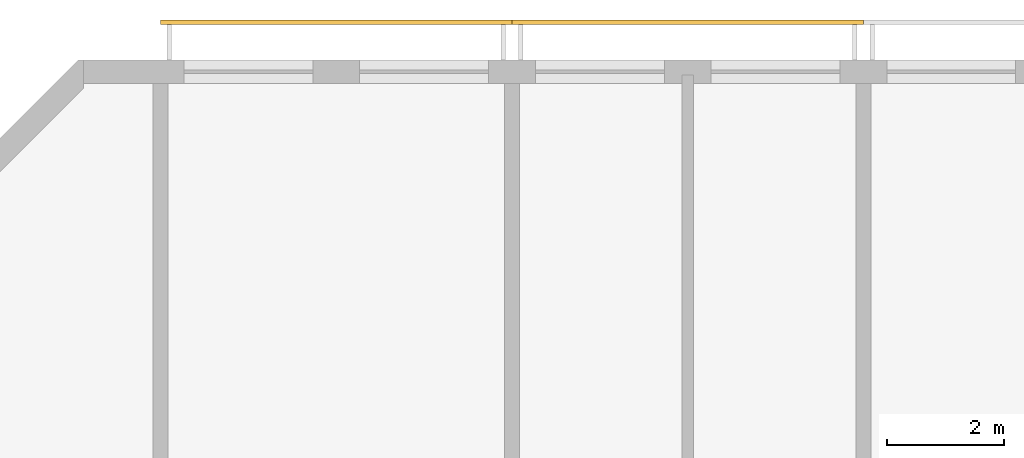
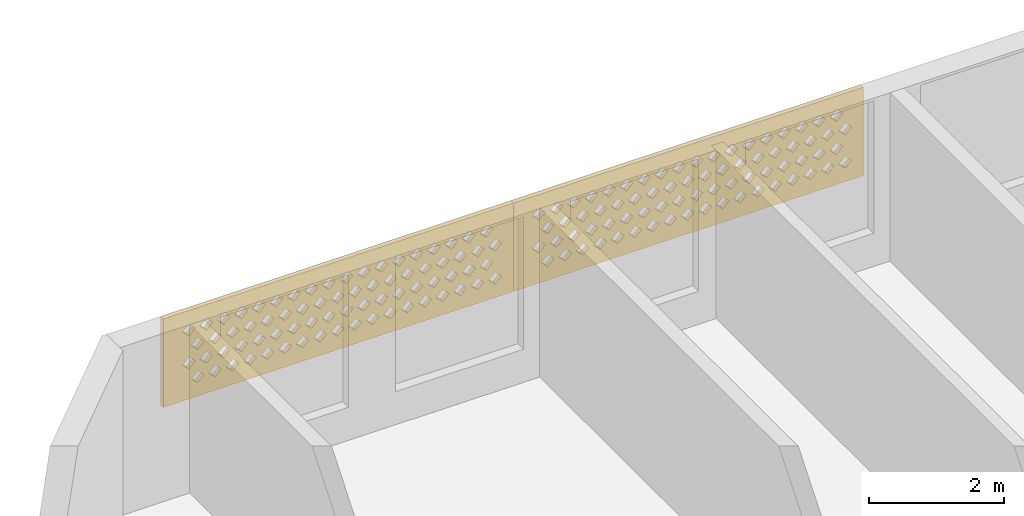
# One storey, part 13 of 18: 2 coverings.
"""IFC4 building model written with IfcOpenShell, lengths in metres."""

from ifc_helpers import new_model, si_unit, direction, frame, origin, place, context, subcontext, project, spatial, polyline, outline, extrude, source, transform, mapped, material, material_profile, profile_set, type_object, element, save


model = new_model("IFC4")

# Units and contexts
model_context = context("Model", 3, precision=1e-05, world=origin(), true_north=direction((0.0, 1.0)))
body_context = subcontext(model_context, "Body", "Model", "MODEL_VIEW")
ifc_project = project(units=[si_unit("LENGTHUNIT", "METRE"), si_unit("AREAUNIT", "SQUARE_METRE"), si_unit("VOLUMEUNIT", "CUBIC_METRE"), si_unit("PLANEANGLEUNIT", "RADIAN"), si_unit("MASSUNIT", "GRAM", prefix="KILO")], contexts=[model_context])

# Site, building, storey
site_placement = place(None, origin())
site = spatial("IfcSite", under=ifc_project, at=site_placement, CompositionType="ELEMENT")
building_placement = place(site_placement, origin())
building = spatial("IfcBuilding", under=site, at=building_placement, Name="Poui Terraces", CompositionType="ELEMENT")
storey_placement = place(building_placement, frame((0.0, 0.0, 279.0)))
storey = spatial("IfcBuildingStorey", under=building, at=storey_placement, Name="L77 CROWN", CompositionType="ELEMENT", Elevation=279.0)

# Coverings
ifc_material = material(Name="Terracotta screen", Category="masonry")
ifc_material_profile = material_profile(ifc_material, outline(polyline([(-3.0, -0.800048828125), (3.0, -0.800048828125), (3.0, 0.800048828125), (-3.0, 0.800048828125), (-3.0, -0.800048828125)]), holes=[polyline([(-2.800048828125, -0.449951171875), (-2.68994140625, -0.56005859375), (-2.580078125, -0.449951171875), (-2.68994140625, -0.340087890625), (-2.800048828125, -0.449951171875)]), polyline([(-2.5, -0.449951171875), (-2.389892578125, -0.56005859375), (-2.280029296875, -0.449951171875), (-2.389892578125, -0.340087890625), (-2.5, -0.449951171875)]), polyline([(-2.199951171875, -0.449951171875), (-2.090087890625, -0.56005859375), (-1.97998046875, -0.449951171875), (-2.090087890625, -0.340087890625), (-2.199951171875, -0.449951171875)]), polyline([(-1.89990234375, -0.449951171875), (-1.7900390625, -0.56005859375), (-1.679931640625, -0.449951171875), (-1.7900390625, -0.340087890625), (-1.89990234375, -0.449951171875)]), polyline([(-1.60009765625, -0.449951171875), (-1.489990234375, -0.56005859375), (-1.3798828125, -0.449951171875), (-1.489990234375, -0.340087890625), (-1.60009765625, -0.449951171875)]), polyline([(-1.300048828125, -0.449951171875), (-1.18994140625, -0.56005859375), (-1.080078125, -0.449951171875), (-1.18994140625, -0.340087890625), (-1.300048828125, -0.449951171875)]), polyline([(-1.0, -0.449951171875), (-0.889892578125, -0.56005859375), (-0.780029296875, -0.449951171875), (-0.889892578125, -0.340087890625), (-1.0, -0.449951171875)]), polyline([(-0.699951171875, -0.449951171875), (-0.590087890625, -0.56005859375), (-0.47998046875, -0.449951171875), (-0.590087890625, -0.340087890625), (-0.699951171875, -0.449951171875)]), polyline([(-0.39990234375, -0.449951171875), (-0.2900390625, -0.56005859375), (-0.179931640625, -0.449951171875), (-0.2900390625, -0.340087890625), (-0.39990234375, -0.449951171875)]), polyline([(-0.10009765625, -0.449951171875), (0.010009765625, -0.56005859375), (0.1201171875, -0.449951171875), (0.010009765625, -0.340087890625), (-0.10009765625, -0.449951171875)]), polyline([(0.199951171875, -0.449951171875), (0.31005859375, -0.56005859375), (0.419921875, -0.449951171875), (0.31005859375, -0.340087890625), (0.199951171875, -0.449951171875)]), polyline([(0.5, -0.449951171875), (0.610107421875, -0.56005859375), (0.719970703125, -0.449951171875), (0.610107421875, -0.340087890625), (0.5, -0.449951171875)]), polyline([(0.800048828125, -0.449951171875), (0.909912109375, -0.56005859375), (1.02001953125, -0.449951171875), (0.909912109375, -0.340087890625), (0.800048828125, -0.449951171875)]), polyline([(1.10009765625, -0.449951171875), (1.2099609375, -0.56005859375), (1.320068359375, -0.449951171875), (1.2099609375, -0.340087890625), (1.10009765625, -0.449951171875)]), polyline([(1.39990234375, -0.449951171875), (1.510009765625, -0.56005859375), (1.6201171875, -0.449951171875), (1.510009765625, -0.340087890625), (1.39990234375, -0.449951171875)]), polyline([(1.699951171875, -0.449951171875), (1.81005859375, -0.56005859375), (1.919921875, -0.449951171875), (1.81005859375, -0.340087890625), (1.699951171875, -0.449951171875)]), polyline([(2.0, -0.449951171875), (2.110107421875, -0.56005859375), (2.219970703125, -0.449951171875), (2.110107421875, -0.340087890625), (2.0, -0.449951171875)]), polyline([(2.300048828125, -0.449951171875), (2.409912109375, -0.56005859375), (2.52001953125, -0.449951171875), (2.409912109375, -0.340087890625), (2.300048828125, -0.449951171875)]), polyline([(-2.64990234375, -0.14990234375), (-2.5400390625, -0.260009765625), (-2.429931640625, -0.14990234375), (-2.5400390625, -0.0400390625), (-2.64990234375, -0.14990234375)]), polyline([(-2.35009765625, -0.14990234375), (-2.239990234375, -0.260009765625), (-2.1298828125, -0.14990234375), (-2.239990234375, -0.0400390625), (-2.35009765625, -0.14990234375)]), polyline([(-2.050048828125, -0.14990234375), (-1.93994140625, -0.260009765625), (-1.830078125, -0.14990234375), (-1.93994140625, -0.0400390625), (-2.050048828125, -0.14990234375)]), polyline([(-1.75, -0.14990234375), (-1.639892578125, -0.260009765625), (-1.530029296875, -0.14990234375), (-1.639892578125, -0.0400390625), (-1.75, -0.14990234375)]), polyline([(-1.449951171875, -0.14990234375), (-1.340087890625, -0.260009765625), (-1.22998046875, -0.14990234375), (-1.340087890625, -0.0400390625), (-1.449951171875, -0.14990234375)]), polyline([(-1.14990234375, -0.14990234375), (-1.0400390625, -0.260009765625), (-0.929931640625, -0.14990234375), (-1.0400390625, -0.0400390625), (-1.14990234375, -0.14990234375)]), polyline([(-0.85009765625, -0.14990234375), (-0.739990234375, -0.260009765625), (-0.6298828125, -0.14990234375), (-0.739990234375, -0.0400390625), (-0.85009765625, -0.14990234375)]), polyline([(-0.550048828125, -0.14990234375), (-0.43994140625, -0.260009765625), (-0.330078125, -0.14990234375), (-0.43994140625, -0.0400390625), (-0.550048828125, -0.14990234375)]), polyline([(-0.25, -0.14990234375), (-0.139892578125, -0.260009765625), (-0.030029296875, -0.14990234375), (-0.139892578125, -0.0400390625), (-0.25, -0.14990234375)]), polyline([(0.050048828125, -0.14990234375), (0.159912109375, -0.260009765625), (0.27001953125, -0.14990234375), (0.159912109375, -0.0400390625), (0.050048828125, -0.14990234375)]), polyline([(0.35009765625, -0.14990234375), (0.4599609375, -0.260009765625), (0.570068359375, -0.14990234375), (0.4599609375, -0.0400390625), (0.35009765625, -0.14990234375)]), polyline([(0.64990234375, -0.14990234375), (0.760009765625, -0.260009765625), (0.8701171875, -0.14990234375), (0.760009765625, -0.0400390625), (0.64990234375, -0.14990234375)]), polyline([(0.949951171875, -0.14990234375), (1.06005859375, -0.260009765625), (1.169921875, -0.14990234375), (1.06005859375, -0.0400390625), (0.949951171875, -0.14990234375)]), polyline([(1.25, -0.14990234375), (1.360107421875, -0.260009765625), (1.469970703125, -0.14990234375), (1.360107421875, -0.0400390625), (1.25, -0.14990234375)]), polyline([(1.550048828125, -0.14990234375), (1.659912109375, -0.260009765625), (1.77001953125, -0.14990234375), (1.659912109375, -0.0400390625), (1.550048828125, -0.14990234375)]), polyline([(1.85009765625, -0.14990234375), (1.9599609375, -0.260009765625), (2.070068359375, -0.14990234375), (1.9599609375, -0.0400390625), (1.85009765625, -0.14990234375)]), polyline([(2.14990234375, -0.14990234375), (2.260009765625, -0.260009765625), (2.3701171875, -0.14990234375), (2.260009765625, -0.0400390625), (2.14990234375, -0.14990234375)]), polyline([(2.449951171875, -0.14990234375), (2.56005859375, -0.260009765625), (2.669921875, -0.14990234375), (2.56005859375, -0.0400390625), (2.449951171875, -0.14990234375)]), polyline([(-2.800048828125, 0.14990234375), (-2.68994140625, 0.0400390625), (-2.580078125, 0.14990234375), (-2.68994140625, 0.260009765625), (-2.800048828125, 0.14990234375)]), polyline([(-2.5, 0.14990234375), (-2.389892578125, 0.0400390625), (-2.280029296875, 0.14990234375), (-2.389892578125, 0.260009765625), (-2.5, 0.14990234375)]), polyline([(-2.199951171875, 0.14990234375), (-2.090087890625, 0.0400390625), (-1.97998046875, 0.14990234375), (-2.090087890625, 0.260009765625), (-2.199951171875, 0.14990234375)]), polyline([(-1.89990234375, 0.14990234375), (-1.7900390625, 0.0400390625), (-1.679931640625, 0.14990234375), (-1.7900390625, 0.260009765625), (-1.89990234375, 0.14990234375)]), polyline([(-1.60009765625, 0.14990234375), (-1.489990234375, 0.0400390625), (-1.3798828125, 0.14990234375), (-1.489990234375, 0.260009765625), (-1.60009765625, 0.14990234375)]), polyline([(-1.300048828125, 0.14990234375), (-1.18994140625, 0.0400390625), (-1.080078125, 0.14990234375), (-1.18994140625, 0.260009765625), (-1.300048828125, 0.14990234375)]), polyline([(-1.0, 0.14990234375), (-0.889892578125, 0.0400390625), (-0.780029296875, 0.14990234375), (-0.889892578125, 0.260009765625), (-1.0, 0.14990234375)]), polyline([(-0.699951171875, 0.14990234375), (-0.590087890625, 0.0400390625), (-0.47998046875, 0.14990234375), (-0.590087890625, 0.260009765625), (-0.699951171875, 0.14990234375)]), polyline([(-0.39990234375, 0.14990234375), (-0.2900390625, 0.0400390625), (-0.179931640625, 0.14990234375), (-0.2900390625, 0.260009765625), (-0.39990234375, 0.14990234375)]), polyline([(-0.10009765625, 0.14990234375), (0.010009765625, 0.0400390625), (0.1201171875, 0.14990234375), (0.010009765625, 0.260009765625), (-0.10009765625, 0.14990234375)]), polyline([(0.199951171875, 0.14990234375), (0.31005859375, 0.0400390625), (0.419921875, 0.14990234375), (0.31005859375, 0.260009765625), (0.199951171875, 0.14990234375)]), polyline([(0.5, 0.14990234375), (0.610107421875, 0.0400390625), (0.719970703125, 0.14990234375), (0.610107421875, 0.260009765625), (0.5, 0.14990234375)]), polyline([(0.800048828125, 0.14990234375), (0.909912109375, 0.0400390625), (1.02001953125, 0.14990234375), (0.909912109375, 0.260009765625), (0.800048828125, 0.14990234375)]), polyline([(1.10009765625, 0.14990234375), (1.2099609375, 0.0400390625), (1.320068359375, 0.14990234375), (1.2099609375, 0.260009765625), (1.10009765625, 0.14990234375)]), polyline([(1.39990234375, 0.14990234375), (1.510009765625, 0.0400390625), (1.6201171875, 0.14990234375), (1.510009765625, 0.260009765625), (1.39990234375, 0.14990234375)]), polyline([(1.699951171875, 0.14990234375), (1.81005859375, 0.0400390625), (1.919921875, 0.14990234375), (1.81005859375, 0.260009765625), (1.699951171875, 0.14990234375)]), polyline([(2.0, 0.14990234375), (2.110107421875, 0.0400390625), (2.219970703125, 0.14990234375), (2.110107421875, 0.260009765625), (2.0, 0.14990234375)]), polyline([(2.300048828125, 0.14990234375), (2.409912109375, 0.0400390625), (2.52001953125, 0.14990234375), (2.409912109375, 0.260009765625), (2.300048828125, 0.14990234375)]), polyline([(-2.64990234375, 0.449951171875), (-2.5400390625, 0.340087890625), (-2.429931640625, 0.449951171875), (-2.5400390625, 0.56005859375), (-2.64990234375, 0.449951171875)]), polyline([(-2.35009765625, 0.449951171875), (-2.239990234375, 0.340087890625), (-2.1298828125, 0.449951171875), (-2.239990234375, 0.56005859375), (-2.35009765625, 0.449951171875)]), polyline([(-2.050048828125, 0.449951171875), (-1.93994140625, 0.340087890625), (-1.830078125, 0.449951171875), (-1.93994140625, 0.56005859375), (-2.050048828125, 0.449951171875)]), polyline([(-1.75, 0.449951171875), (-1.639892578125, 0.340087890625), (-1.530029296875, 0.449951171875), (-1.639892578125, 0.56005859375), (-1.75, 0.449951171875)]), polyline([(-1.449951171875, 0.449951171875), (-1.340087890625, 0.340087890625), (-1.22998046875, 0.449951171875), (-1.340087890625, 0.56005859375), (-1.449951171875, 0.449951171875)]), polyline([(-1.14990234375, 0.449951171875), (-1.0400390625, 0.340087890625), (-0.929931640625, 0.449951171875), (-1.0400390625, 0.56005859375), (-1.14990234375, 0.449951171875)]), polyline([(-0.85009765625, 0.449951171875), (-0.739990234375, 0.340087890625), (-0.6298828125, 0.449951171875), (-0.739990234375, 0.56005859375), (-0.85009765625, 0.449951171875)]), polyline([(-0.550048828125, 0.449951171875), (-0.43994140625, 0.340087890625), (-0.330078125, 0.449951171875), (-0.43994140625, 0.56005859375), (-0.550048828125, 0.449951171875)]), polyline([(-0.25, 0.449951171875), (-0.139892578125, 0.340087890625), (-0.030029296875, 0.449951171875), (-0.139892578125, 0.56005859375), (-0.25, 0.449951171875)]), polyline([(0.050048828125, 0.449951171875), (0.159912109375, 0.340087890625), (0.27001953125, 0.449951171875), (0.159912109375, 0.56005859375), (0.050048828125, 0.449951171875)]), polyline([(0.35009765625, 0.449951171875), (0.4599609375, 0.340087890625), (0.570068359375, 0.449951171875), (0.4599609375, 0.56005859375), (0.35009765625, 0.449951171875)]), polyline([(0.64990234375, 0.449951171875), (0.760009765625, 0.340087890625), (0.8701171875, 0.449951171875), (0.760009765625, 0.56005859375), (0.64990234375, 0.449951171875)]), polyline([(0.949951171875, 0.449951171875), (1.06005859375, 0.340087890625), (1.169921875, 0.449951171875), (1.06005859375, 0.56005859375), (0.949951171875, 0.449951171875)]), polyline([(1.25, 0.449951171875), (1.360107421875, 0.340087890625), (1.469970703125, 0.449951171875), (1.360107421875, 0.56005859375), (1.25, 0.449951171875)]), polyline([(1.550048828125, 0.449951171875), (1.659912109375, 0.340087890625), (1.77001953125, 0.449951171875), (1.659912109375, 0.56005859375), (1.550048828125, 0.449951171875)]), polyline([(1.85009765625, 0.449951171875), (1.9599609375, 0.340087890625), (2.070068359375, 0.449951171875), (1.9599609375, 0.56005859375), (1.85009765625, 0.449951171875)]), polyline([(2.14990234375, 0.449951171875), (2.260009765625, 0.340087890625), (2.3701171875, 0.449951171875), (2.260009765625, 0.56005859375), (2.14990234375, 0.449951171875)]), polyline([(2.449951171875, 0.449951171875), (2.56005859375, 0.340087890625), (2.669921875, 0.449951171875), (2.56005859375, 0.56005859375), (2.449951171875, 0.449951171875)])]), Name="TERRACOTTA SOLAR SCREEN 6000X1600")
ifc_profile_set = profile_set([ifc_material_profile], Name="Terracotta screen")
covering_type = type_object("IfcCoveringType", Name="TERRACOTTA SOLAR SCREEN 6000X1600", PredefinedType="CLADDING", material=ifc_profile_set)
shared_shape = source(origin(), body_context, "Body", "SweptSolid", [
    extrude(outline(polyline([(-3.0, -0.800048828125), (3.0, -0.800048828125), (3.0, 0.800048828125), (-3.0, 0.800048828125), (-3.0, -0.800048828125)]), holes=[polyline([(-2.800048828125, -0.449951171875), (-2.68994140625, -0.56005859375), (-2.580078125, -0.449951171875), (-2.68994140625, -0.340087890625), (-2.800048828125, -0.449951171875)]), polyline([(-2.5, -0.449951171875), (-2.389892578125, -0.56005859375), (-2.280029296875, -0.449951171875), (-2.389892578125, -0.340087890625), (-2.5, -0.449951171875)]), polyline([(-2.199951171875, -0.449951171875), (-2.090087890625, -0.56005859375), (-1.97998046875, -0.449951171875), (-2.090087890625, -0.340087890625), (-2.199951171875, -0.449951171875)]), polyline([(-1.89990234375, -0.449951171875), (-1.7900390625, -0.56005859375), (-1.679931640625, -0.449951171875), (-1.7900390625, -0.340087890625), (-1.89990234375, -0.449951171875)]), polyline([(-1.60009765625, -0.449951171875), (-1.489990234375, -0.56005859375), (-1.3798828125, -0.449951171875), (-1.489990234375, -0.340087890625), (-1.60009765625, -0.449951171875)]), polyline([(-1.300048828125, -0.449951171875), (-1.18994140625, -0.56005859375), (-1.080078125, -0.449951171875), (-1.18994140625, -0.340087890625), (-1.300048828125, -0.449951171875)]), polyline([(-1.0, -0.449951171875), (-0.889892578125, -0.56005859375), (-0.780029296875, -0.449951171875), (-0.889892578125, -0.340087890625), (-1.0, -0.449951171875)]), polyline([(-0.699951171875, -0.449951171875), (-0.590087890625, -0.56005859375), (-0.47998046875, -0.449951171875), (-0.590087890625, -0.340087890625), (-0.699951171875, -0.449951171875)]), polyline([(-0.39990234375, -0.449951171875), (-0.2900390625, -0.56005859375), (-0.179931640625, -0.449951171875), (-0.2900390625, -0.340087890625), (-0.39990234375, -0.449951171875)]), polyline([(-0.10009765625, -0.449951171875), (0.010009765625, -0.56005859375), (0.1201171875, -0.449951171875), (0.010009765625, -0.340087890625), (-0.10009765625, -0.449951171875)]), polyline([(0.199951171875, -0.449951171875), (0.31005859375, -0.56005859375), (0.419921875, -0.449951171875), (0.31005859375, -0.340087890625), (0.199951171875, -0.449951171875)]), polyline([(0.5, -0.449951171875), (0.610107421875, -0.56005859375), (0.719970703125, -0.449951171875), (0.610107421875, -0.340087890625), (0.5, -0.449951171875)]), polyline([(0.800048828125, -0.449951171875), (0.909912109375, -0.56005859375), (1.02001953125, -0.449951171875), (0.909912109375, -0.340087890625), (0.800048828125, -0.449951171875)]), polyline([(1.10009765625, -0.449951171875), (1.2099609375, -0.56005859375), (1.320068359375, -0.449951171875), (1.2099609375, -0.340087890625), (1.10009765625, -0.449951171875)]), polyline([(1.39990234375, -0.449951171875), (1.510009765625, -0.56005859375), (1.6201171875, -0.449951171875), (1.510009765625, -0.340087890625), (1.39990234375, -0.449951171875)]), polyline([(1.699951171875, -0.449951171875), (1.81005859375, -0.56005859375), (1.919921875, -0.449951171875), (1.81005859375, -0.340087890625), (1.699951171875, -0.449951171875)]), polyline([(2.0, -0.449951171875), (2.110107421875, -0.56005859375), (2.219970703125, -0.449951171875), (2.110107421875, -0.340087890625), (2.0, -0.449951171875)]), polyline([(2.300048828125, -0.449951171875), (2.409912109375, -0.56005859375), (2.52001953125, -0.449951171875), (2.409912109375, -0.340087890625), (2.300048828125, -0.449951171875)]), polyline([(-2.64990234375, -0.14990234375), (-2.5400390625, -0.260009765625), (-2.429931640625, -0.14990234375), (-2.5400390625, -0.0400390625), (-2.64990234375, -0.14990234375)]), polyline([(-2.35009765625, -0.14990234375), (-2.239990234375, -0.260009765625), (-2.1298828125, -0.14990234375), (-2.239990234375, -0.0400390625), (-2.35009765625, -0.14990234375)]), polyline([(-2.050048828125, -0.14990234375), (-1.93994140625, -0.260009765625), (-1.830078125, -0.14990234375), (-1.93994140625, -0.0400390625), (-2.050048828125, -0.14990234375)]), polyline([(-1.75, -0.14990234375), (-1.639892578125, -0.260009765625), (-1.530029296875, -0.14990234375), (-1.639892578125, -0.0400390625), (-1.75, -0.14990234375)]), polyline([(-1.449951171875, -0.14990234375), (-1.340087890625, -0.260009765625), (-1.22998046875, -0.14990234375), (-1.340087890625, -0.0400390625), (-1.449951171875, -0.14990234375)]), polyline([(-1.14990234375, -0.14990234375), (-1.0400390625, -0.260009765625), (-0.929931640625, -0.14990234375), (-1.0400390625, -0.0400390625), (-1.14990234375, -0.14990234375)]), polyline([(-0.85009765625, -0.14990234375), (-0.739990234375, -0.260009765625), (-0.6298828125, -0.14990234375), (-0.739990234375, -0.0400390625), (-0.85009765625, -0.14990234375)]), polyline([(-0.550048828125, -0.14990234375), (-0.43994140625, -0.260009765625), (-0.330078125, -0.14990234375), (-0.43994140625, -0.0400390625), (-0.550048828125, -0.14990234375)]), polyline([(-0.25, -0.14990234375), (-0.139892578125, -0.260009765625), (-0.030029296875, -0.14990234375), (-0.139892578125, -0.0400390625), (-0.25, -0.14990234375)]), polyline([(0.050048828125, -0.14990234375), (0.159912109375, -0.260009765625), (0.27001953125, -0.14990234375), (0.159912109375, -0.0400390625), (0.050048828125, -0.14990234375)]), polyline([(0.35009765625, -0.14990234375), (0.4599609375, -0.260009765625), (0.570068359375, -0.14990234375), (0.4599609375, -0.0400390625), (0.35009765625, -0.14990234375)]), polyline([(0.64990234375, -0.14990234375), (0.760009765625, -0.260009765625), (0.8701171875, -0.14990234375), (0.760009765625, -0.0400390625), (0.64990234375, -0.14990234375)]), polyline([(0.949951171875, -0.14990234375), (1.06005859375, -0.260009765625), (1.169921875, -0.14990234375), (1.06005859375, -0.0400390625), (0.949951171875, -0.14990234375)]), polyline([(1.25, -0.14990234375), (1.360107421875, -0.260009765625), (1.469970703125, -0.14990234375), (1.360107421875, -0.0400390625), (1.25, -0.14990234375)]), polyline([(1.550048828125, -0.14990234375), (1.659912109375, -0.260009765625), (1.77001953125, -0.14990234375), (1.659912109375, -0.0400390625), (1.550048828125, -0.14990234375)]), polyline([(1.85009765625, -0.14990234375), (1.9599609375, -0.260009765625), (2.070068359375, -0.14990234375), (1.9599609375, -0.0400390625), (1.85009765625, -0.14990234375)]), polyline([(2.14990234375, -0.14990234375), (2.260009765625, -0.260009765625), (2.3701171875, -0.14990234375), (2.260009765625, -0.0400390625), (2.14990234375, -0.14990234375)]), polyline([(2.449951171875, -0.14990234375), (2.56005859375, -0.260009765625), (2.669921875, -0.14990234375), (2.56005859375, -0.0400390625), (2.449951171875, -0.14990234375)]), polyline([(-2.800048828125, 0.14990234375), (-2.68994140625, 0.0400390625), (-2.580078125, 0.14990234375), (-2.68994140625, 0.260009765625), (-2.800048828125, 0.14990234375)]), polyline([(-2.5, 0.14990234375), (-2.389892578125, 0.0400390625), (-2.280029296875, 0.14990234375), (-2.389892578125, 0.260009765625), (-2.5, 0.14990234375)]), polyline([(-2.199951171875, 0.14990234375), (-2.090087890625, 0.0400390625), (-1.97998046875, 0.14990234375), (-2.090087890625, 0.260009765625), (-2.199951171875, 0.14990234375)]), polyline([(-1.89990234375, 0.14990234375), (-1.7900390625, 0.0400390625), (-1.679931640625, 0.14990234375), (-1.7900390625, 0.260009765625), (-1.89990234375, 0.14990234375)]), polyline([(-1.60009765625, 0.14990234375), (-1.489990234375, 0.0400390625), (-1.3798828125, 0.14990234375), (-1.489990234375, 0.260009765625), (-1.60009765625, 0.14990234375)]), polyline([(-1.300048828125, 0.14990234375), (-1.18994140625, 0.0400390625), (-1.080078125, 0.14990234375), (-1.18994140625, 0.260009765625), (-1.300048828125, 0.14990234375)]), polyline([(-1.0, 0.14990234375), (-0.889892578125, 0.0400390625), (-0.780029296875, 0.14990234375), (-0.889892578125, 0.260009765625), (-1.0, 0.14990234375)]), polyline([(-0.699951171875, 0.14990234375), (-0.590087890625, 0.0400390625), (-0.47998046875, 0.14990234375), (-0.590087890625, 0.260009765625), (-0.699951171875, 0.14990234375)]), polyline([(-0.39990234375, 0.14990234375), (-0.2900390625, 0.0400390625), (-0.179931640625, 0.14990234375), (-0.2900390625, 0.260009765625), (-0.39990234375, 0.14990234375)]), polyline([(-0.10009765625, 0.14990234375), (0.010009765625, 0.0400390625), (0.1201171875, 0.14990234375), (0.010009765625, 0.260009765625), (-0.10009765625, 0.14990234375)]), polyline([(0.199951171875, 0.14990234375), (0.31005859375, 0.0400390625), (0.419921875, 0.14990234375), (0.31005859375, 0.260009765625), (0.199951171875, 0.14990234375)]), polyline([(0.5, 0.14990234375), (0.610107421875, 0.0400390625), (0.719970703125, 0.14990234375), (0.610107421875, 0.260009765625), (0.5, 0.14990234375)]), polyline([(0.800048828125, 0.14990234375), (0.909912109375, 0.0400390625), (1.02001953125, 0.14990234375), (0.909912109375, 0.260009765625), (0.800048828125, 0.14990234375)]), polyline([(1.10009765625, 0.14990234375), (1.2099609375, 0.0400390625), (1.320068359375, 0.14990234375), (1.2099609375, 0.260009765625), (1.10009765625, 0.14990234375)]), polyline([(1.39990234375, 0.14990234375), (1.510009765625, 0.0400390625), (1.6201171875, 0.14990234375), (1.510009765625, 0.260009765625), (1.39990234375, 0.14990234375)]), polyline([(1.699951171875, 0.14990234375), (1.81005859375, 0.0400390625), (1.919921875, 0.14990234375), (1.81005859375, 0.260009765625), (1.699951171875, 0.14990234375)]), polyline([(2.0, 0.14990234375), (2.110107421875, 0.0400390625), (2.219970703125, 0.14990234375), (2.110107421875, 0.260009765625), (2.0, 0.14990234375)]), polyline([(2.300048828125, 0.14990234375), (2.409912109375, 0.0400390625), (2.52001953125, 0.14990234375), (2.409912109375, 0.260009765625), (2.300048828125, 0.14990234375)]), polyline([(-2.64990234375, 0.449951171875), (-2.5400390625, 0.340087890625), (-2.429931640625, 0.449951171875), (-2.5400390625, 0.56005859375), (-2.64990234375, 0.449951171875)]), polyline([(-2.35009765625, 0.449951171875), (-2.239990234375, 0.340087890625), (-2.1298828125, 0.449951171875), (-2.239990234375, 0.56005859375), (-2.35009765625, 0.449951171875)]), polyline([(-2.050048828125, 0.449951171875), (-1.93994140625, 0.340087890625), (-1.830078125, 0.449951171875), (-1.93994140625, 0.56005859375), (-2.050048828125, 0.449951171875)]), polyline([(-1.75, 0.449951171875), (-1.639892578125, 0.340087890625), (-1.530029296875, 0.449951171875), (-1.639892578125, 0.56005859375), (-1.75, 0.449951171875)]), polyline([(-1.449951171875, 0.449951171875), (-1.340087890625, 0.340087890625), (-1.22998046875, 0.449951171875), (-1.340087890625, 0.56005859375), (-1.449951171875, 0.449951171875)]), polyline([(-1.14990234375, 0.449951171875), (-1.0400390625, 0.340087890625), (-0.929931640625, 0.449951171875), (-1.0400390625, 0.56005859375), (-1.14990234375, 0.449951171875)]), polyline([(-0.85009765625, 0.449951171875), (-0.739990234375, 0.340087890625), (-0.6298828125, 0.449951171875), (-0.739990234375, 0.56005859375), (-0.85009765625, 0.449951171875)]), polyline([(-0.550048828125, 0.449951171875), (-0.43994140625, 0.340087890625), (-0.330078125, 0.449951171875), (-0.43994140625, 0.56005859375), (-0.550048828125, 0.449951171875)]), polyline([(-0.25, 0.449951171875), (-0.139892578125, 0.340087890625), (-0.030029296875, 0.449951171875), (-0.139892578125, 0.56005859375), (-0.25, 0.449951171875)]), polyline([(0.050048828125, 0.449951171875), (0.159912109375, 0.340087890625), (0.27001953125, 0.449951171875), (0.159912109375, 0.56005859375), (0.050048828125, 0.449951171875)]), polyline([(0.35009765625, 0.449951171875), (0.4599609375, 0.340087890625), (0.570068359375, 0.449951171875), (0.4599609375, 0.56005859375), (0.35009765625, 0.449951171875)]), polyline([(0.64990234375, 0.449951171875), (0.760009765625, 0.340087890625), (0.8701171875, 0.449951171875), (0.760009765625, 0.56005859375), (0.64990234375, 0.449951171875)]), polyline([(0.949951171875, 0.449951171875), (1.06005859375, 0.340087890625), (1.169921875, 0.449951171875), (1.06005859375, 0.56005859375), (0.949951171875, 0.449951171875)]), polyline([(1.25, 0.449951171875), (1.360107421875, 0.340087890625), (1.469970703125, 0.449951171875), (1.360107421875, 0.56005859375), (1.25, 0.449951171875)]), polyline([(1.550048828125, 0.449951171875), (1.659912109375, 0.340087890625), (1.77001953125, 0.449951171875), (1.659912109375, 0.56005859375), (1.550048828125, 0.449951171875)]), polyline([(1.85009765625, 0.449951171875), (1.9599609375, 0.340087890625), (2.070068359375, 0.449951171875), (1.9599609375, 0.56005859375), (1.85009765625, 0.449951171875)]), polyline([(2.14990234375, 0.449951171875), (2.260009765625, 0.340087890625), (2.3701171875, 0.449951171875), (2.260009765625, 0.56005859375), (2.14990234375, 0.449951171875)]), polyline([(2.449951171875, 0.449951171875), (2.56005859375, 0.340087890625), (2.669921875, 0.449951171875), (2.56005859375, 0.56005859375), (2.449951171875, 0.449951171875)])]), origin(), (0.0, 0.0, 1.0), 0.080078125),
])
for number, where, z_axis, x_axis, name in (
    (1, (27.0, 42.0, 1.699951171875), (0.0, 1.0, 0.0), (-1.0, 0.0, 0.0), "SOLAR SCREEN"),
    (2, (33.0, 42.0, 1.699951171875), (0.0, 1.0, 0.0), (-1.0, 0.0, 0.0), "SOLAR SCREEN"),
):
    element("IfcCovering", number, at=place(storey_placement, frame(where, z_axis=z_axis, x_axis=x_axis)), inside=storey, type_object=covering_type, Name=name, PredefinedType="CLADDING", context=body_context, shape_type="MappedRepresentation", body=[
        mapped(shared_shape, transform((0.0, 0.0, 0.0))),
    ])

save(model, "model.ifc")
